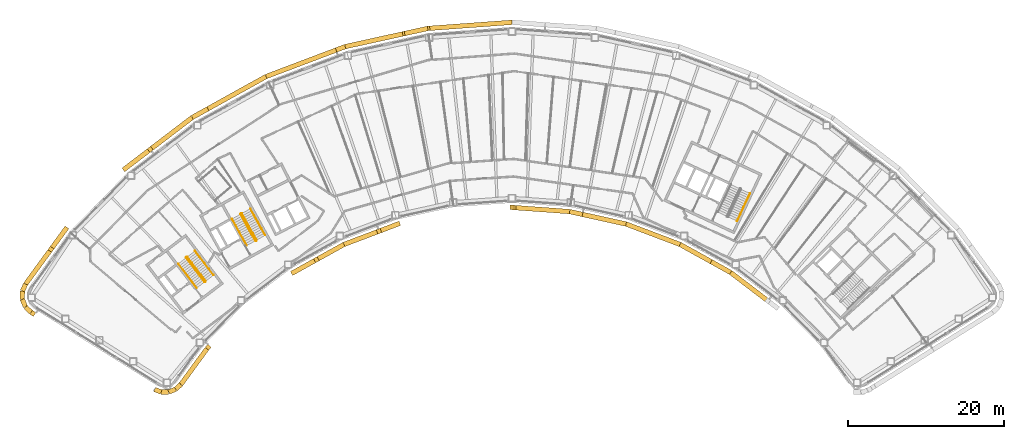
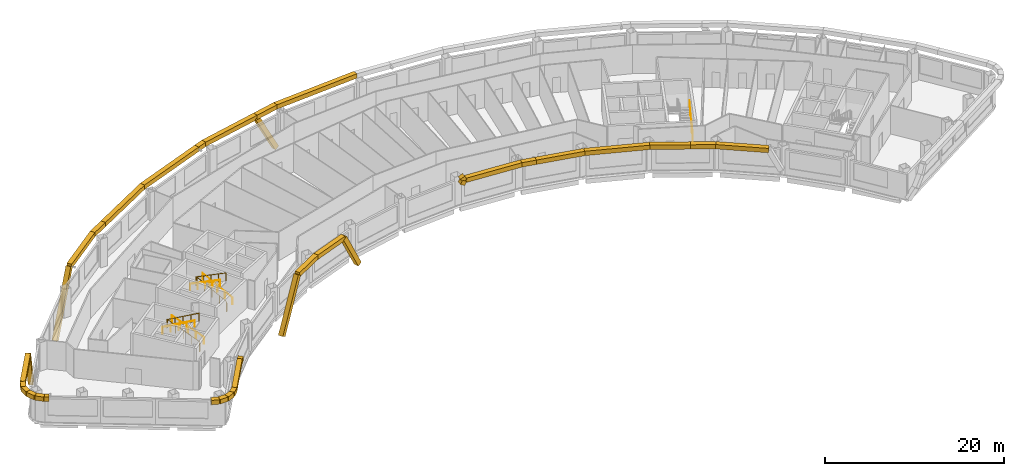
# One storey, part 15 of 17: 36 coverings, 7 railings.
"""IFC4 building model written with IfcOpenShell, lengths in metres."""

from ifc_helpers import new_model, si_unit, direction, frame, origin, origin_2d, place, context, subcontext, project, spatial, rectangle, circle, extrude, material, material_profile, profile_set, type_object, element, save


model = new_model("IFC4")

# Units and contexts
model_context = context("Model", 3, precision=1e-05, world=origin(), true_north=direction((0.0, 1.0)))
body_context = subcontext(model_context, "Body", "Model", "MODEL_VIEW")
ifc_project = project(units=[si_unit("LENGTHUNIT", "METRE"), si_unit("AREAUNIT", "SQUARE_METRE"), si_unit("VOLUMEUNIT", "CUBIC_METRE"), si_unit("PLANEANGLEUNIT", "RADIAN"), si_unit("MASSUNIT", "GRAM", prefix="KILO")], contexts=[model_context])

# Site, building, storey
site_placement = place(None, origin())
site = spatial("IfcSite", under=ifc_project, at=site_placement, CompositionType="ELEMENT")
building_placement = place(site_placement, origin())
building = spatial("IfcBuilding", under=site, at=building_placement, Name="Tuul Gate Civic Tower", CompositionType="ELEMENT")
storey_placement = place(building_placement, frame((0.0, 0.0, 222.10009765625)))
storey = spatial("IfcBuildingStorey", under=building, at=storey_placement, Name="Level 50", CompositionType="ELEMENT", Elevation=222.10009765625)

# Railings
ifc_material_1 = material(Name="Painted steel", Category="steel")
railing_type_1 = type_object("IfcRailingType", Name="Stair guard", PredefinedType="GUARDRAIL", material=ifc_material_1)
railing_1_placement = place(storey_placement, frame((-33.382080078125, -13.515380859375, 0.0)))
element("IfcRailing", 1, at=railing_1_placement, inside=storey, type_object=railing_type_1, Name="Level 50 ST-1 stair guard 1", PredefinedType="GUARDRAIL", context=body_context, shape_type="SweptSolid", body=[
    extrude(circle(Radius=0.02392578125, at=origin_2d()), frame((0.0, 0.0, 1.076171875), z_axis=(-0.795879841968, -0.605454603706, 0.0), x_axis=(0.605454603706, -0.795879841968, 0.0)), (0.0, 0.0, 1.0), 0.10009765625),
    extrude(circle(Radius=0.02392578125, at=origin_2d()), frame((-0.07958984375, -0.060546875, 1.076171875), z_axis=(0.408991890351, 0.599481263939, 0.688002796371), x_axis=(-0.826063974707, 0.563576356576, 0.0)), (0.0, 0.0, 1.0), 0.2177734375),
    extrude(circle(Radius=0.02392578125, at=origin_2d()), frame((0.009521484375, 0.070068359375, 1.22607421875), z_axis=(-0.541824460341, 0.711645023348, 0.447199748346), x_axis=(-0.795637165283, -0.60577347352, 0.0)), (0.0, 0.0, 1.0), 4.3603515625),
    extrude(circle(Radius=0.02392578125, at=origin_2d()), frame((-2.35302734375, 3.173095703125, 3.17578125), z_axis=(-0.990893089246, 0.134650977284, 0.0), x_axis=(-0.134650977284, -0.990893089246, 0.0)), (0.0, 0.0, 1.0), 0.07080078125),
    extrude(circle(Radius=0.02392578125, at=origin_2d()), frame((-2.423095703125, 3.1826171875, 3.17578125), z_axis=(-0.793802879778, -0.60817512943, 0.0), x_axis=(0.60817512943, -0.793802879778, 0.0)), (0.0, 0.0, 1.0), 0.099853515625),
    extrude(circle(Radius=0.02392578125, at=origin_2d()), frame((-2.50244140625, 3.121826171875, 3.17578125), z_axis=(-0.057370624079, -0.422188951554, 0.904690610473), x_axis=(0.990893089246, -0.134650977284, 0.0)), (0.0, 0.0, 1.0), 0.166015625),
    extrude(circle(Radius=0.02392578125, at=origin_2d()), frame((-2.511962890625, 3.0517578125, 3.326171875), z_axis=(0.541806494602, -0.71163897684, 0.447231136047), x_axis=(0.795644365679, 0.605764016233, 0.0)), (0.0, 0.0, 1.0), 4.360107421875),
    extrude(circle(Radius=0.02099609375, at=origin_2d()), origin(), (0.0, 0.0, 1.0), 1.052001953125),
    extrude(circle(Radius=0.02099609375, at=origin_2d()), frame((-0.07958984375, -0.060546875, 0.0)), (0.0, 0.0, 1.0), 1.052001953125),
    extrude(circle(Radius=0.02099609375, at=origin_2d()), frame((0.009521484375, 0.070068359375, 0.14990234375)), (0.0, 0.0, 1.0), 1.052001953125),
    extrude(circle(Radius=0.02099609375, at=origin_2d()), frame((-0.5810546875, 0.845703125, 0.637451171875)), (0.0, 0.0, 1.0), 1.052001953125),
    extrude(circle(Radius=0.02099609375, at=origin_2d()), frame((-1.171875, 1.62158203125, 1.125)), (0.0, 0.0, 1.0), 1.052001953125),
    extrude(circle(Radius=0.02099609375, at=origin_2d()), frame((-1.762451171875, 2.3974609375, 1.6123046875)), (0.0, 0.0, 1.0), 1.052001953125),
    extrude(circle(Radius=0.02099609375, at=origin_2d()), frame((-2.35302734375, 3.173095703125, 2.099853515625)), (0.0, 0.0, 1.0), 1.052001953125),
    extrude(circle(Radius=0.02099609375, at=origin_2d()), frame((-2.423095703125, 3.1826171875, 2.099853515625)), (0.0, 0.0, 1.0), 1.052001953125),
    extrude(circle(Radius=0.02099609375, at=origin_2d()), frame((-2.50244140625, 3.121826171875, 2.099853515625)), (0.0, 0.0, 1.0), 1.052001953125),
    extrude(circle(Radius=0.02099609375, at=origin_2d()), frame((-2.511962890625, 3.0517578125, 2.25)), (0.0, 0.0, 1.0), 1.052001953125),
    extrude(circle(Radius=0.02099609375, at=origin_2d()), frame((-1.92138671875, 2.276123046875, 2.737548828125)), (0.0, 0.0, 1.0), 1.052001953125),
    extrude(circle(Radius=0.02099609375, at=origin_2d()), frame((-1.330810546875, 1.50048828125, 3.22509765625)), (0.0, 0.0, 1.0), 1.052001953125),
    extrude(circle(Radius=0.02099609375, at=origin_2d()), frame((-0.740234375, 0.724609375, 3.71240234375)), (0.0, 0.0, 1.0), 1.052001953125),
    extrude(circle(Radius=0.02099609375, at=origin_2d()), frame((-0.149658203125, -0.051025390625, 4.199951171875)), (0.0, 0.0, 1.0), 1.052001953125),
])
railing_2_placement = place(storey_placement, frame((-26.857666015625, -8.247314453125, 0.0)))
element("IfcRailing", 2, at=railing_2_placement, inside=storey, type_object=railing_type_1, Name="Level 50 ST-2 stair guard 1", PredefinedType="GUARDRAIL", context=body_context, shape_type="SweptSolid", body=[
    extrude(circle(Radius=0.02392578125, at=origin_2d()), frame((0.0, 0.0, 1.076171875), z_axis=(-0.874616555828, -0.48481530532, 0.0), x_axis=(0.48481530532, -0.874616555828, 0.0)), (0.0, 0.0, 1.0), 0.10009765625),
    extrude(circle(Radius=0.02392578125, at=origin_2d()), frame((-0.087646484375, -0.048583984375, 1.076171875), z_axis=(0.49081399482, 0.534516610797, 0.688036056665), x_axis=(-0.736576986774, 0.676353711126, 0.0)), (0.0, 0.0, 1.0), 0.2177734375),
    extrude(circle(Radius=0.02392578125, at=origin_2d()), frame((0.019287109375, 0.06787109375, 1.22607421875), z_axis=(-0.43354991378, 0.782327185242, 0.447212083348), x_axis=(-0.874667644053, -0.484723129681, 0.0)), (0.0, 0.0, 1.0), 4.3603515625),
    extrude(circle(Radius=0.02392578125, at=origin_2d()), frame((-1.87109375, 3.47900390625, 3.17578125), z_axis=(-0.961263487578, 0.275631107549, 0.0), x_axis=(-0.275631107549, -0.961263487578, 0.0)), (0.0, 0.0, 1.0), 0.07080078125),
    extrude(circle(Radius=0.02392578125, at=origin_2d()), frame((-1.939208984375, 3.49853515625, 3.17578125), z_axis=(-0.874042088414, -0.485850211157, 0.0), x_axis=(0.485850211157, -0.874042088414, 0.0)), (0.0, 0.0, 1.0), 0.10009765625),
    extrude(circle(Radius=0.02392578125, at=origin_2d()), frame((-2.026611328125, 3.449951171875, 3.17578125), z_axis=(-0.117709570447, -0.409040757305, 0.904892322815), x_axis=(0.961000426733, -0.276546885391, 0.0)), (0.0, 0.0, 1.0), 0.166015625),
    extrude(circle(Radius=0.02392578125, at=origin_2d()), frame((-2.046142578125, 3.382080078125, 3.326171875), z_axis=(0.433595379963, -0.782308193291, 0.447201226726), x_axis=(0.874641102302, 0.484771020343, 0.0)), (0.0, 0.0, 1.0), 4.3603515625),
    extrude(circle(Radius=0.02099609375, at=origin_2d()), origin(), (0.0, 0.0, 1.0), 1.052001953125),
    extrude(circle(Radius=0.02099609375, at=origin_2d()), frame((-0.087646484375, -0.048583984375, 0.0)), (0.0, 0.0, 1.0), 1.052001953125),
    extrude(circle(Radius=0.02099609375, at=origin_2d()), frame((0.019287109375, 0.06787109375, 0.14990234375)), (0.0, 0.0, 1.0), 1.052001953125),
    extrude(circle(Radius=0.02099609375, at=origin_2d()), frame((-0.453369140625, 0.920654296875, 0.637451171875)), (0.0, 0.0, 1.0), 1.052001953125),
    extrude(circle(Radius=0.02099609375, at=origin_2d()), frame((-0.92578125, 1.7734375, 1.125)), (0.0, 0.0, 1.0), 1.052001953125),
    extrude(circle(Radius=0.02099609375, at=origin_2d()), frame((-1.3984375, 2.626220703125, 1.6123046875)), (0.0, 0.0, 1.0), 1.052001953125),
    extrude(circle(Radius=0.02099609375, at=origin_2d()), frame((-1.87109375, 3.47900390625, 2.099853515625)), (0.0, 0.0, 1.0), 1.052001953125),
    extrude(circle(Radius=0.02099609375, at=origin_2d()), frame((-1.939208984375, 3.49853515625, 2.099853515625)), (0.0, 0.0, 1.0), 1.052001953125),
    extrude(circle(Radius=0.02099609375, at=origin_2d()), frame((-2.026611328125, 3.449951171875, 2.099853515625)), (0.0, 0.0, 1.0), 1.052001953125),
    extrude(circle(Radius=0.02099609375, at=origin_2d()), frame((-2.046142578125, 3.382080078125, 2.25)), (0.0, 0.0, 1.0), 1.052001953125),
    extrude(circle(Radius=0.02099609375, at=origin_2d()), frame((-1.573486328125, 2.529296875, 2.737548828125)), (0.0, 0.0, 1.0), 1.052001953125),
    extrude(circle(Radius=0.02099609375, at=origin_2d()), frame((-1.100830078125, 1.676513671875, 3.22509765625)), (0.0, 0.0, 1.0), 1.052001953125),
    extrude(circle(Radius=0.02099609375, at=origin_2d()), frame((-0.628173828125, 0.82373046875, 3.71240234375)), (0.0, 0.0, 1.0), 1.052001953125),
    extrude(circle(Radius=0.02099609375, at=origin_2d()), frame((-0.155517578125, -0.029052734375, 4.199951171875)), (0.0, 0.0, 1.0), 1.052001953125),
])
ifc_material_2 = material(Name="Painted steel", Category="steel")
railing_type_2 = type_object("IfcRailingType", Name="Stair handrail", PredefinedType="HANDRAIL", material=ifc_material_2)
railing_3_placement = place(storey_placement, frame((-32.3779296875, -12.688232421875, 0.14990234375)))
element("IfcRailing", 3, at=railing_3_placement, inside=storey, type_object=railing_type_2, Name="Level 50 ST-1 stair handrail 1", PredefinedType="HANDRAIL", context=body_context, shape_type="SweptSolid", body=[
    extrude(circle(Radius=0.02392578125, at=origin_2d()), frame((0.0, 0.0, 0.8759765625), z_axis=(-0.541824460341, 0.711645023348, 0.447199748346), x_axis=(-0.795637165283, -0.60577347352, 0.0)), (0.0, 0.0, 1.0), 4.3603515625),
    extrude(circle(Radius=0.02099609375, at=origin_2d()), origin(), (0.0, 0.0, 1.0), 0.851806640625),
    extrude(circle(Radius=0.02099609375, at=origin_2d()), frame((-0.590576171875, 0.77587890625, 0.487548828125)), (0.0, 0.0, 1.0), 0.851806640625),
    extrude(circle(Radius=0.02099609375, at=origin_2d()), frame((-1.18115234375, 1.551513671875, 0.97509765625)), (0.0, 0.0, 1.0), 0.851806640625),
    extrude(circle(Radius=0.02099609375, at=origin_2d()), frame((-1.77197265625, 2.3271484375, 1.46240234375)), (0.0, 0.0, 1.0), 0.851806640625),
    extrude(circle(Radius=0.02099609375, at=origin_2d()), frame((-2.362548828125, 3.10302734375, 1.949951171875)), (0.0, 0.0, 1.0), 0.851806640625),
])
railing_4_placement = place(storey_placement, frame((-36.888671875, -11.220703125, 2.25)))
element("IfcRailing", 4, at=railing_4_placement, inside=storey, type_object=railing_type_2, Name="Level 50 ST-1 stair handrail 2", PredefinedType="HANDRAIL", context=body_context, shape_type="SweptSolid", body=[
    extrude(circle(Radius=0.02392578125, at=origin_2d()), frame((0.0, 0.0, 0.8759765625), z_axis=(0.541824460341, -0.711645023348, 0.447199748346), x_axis=(0.795637165283, 0.60577347352, 0.0)), (0.0, 0.0, 1.0), 4.3603515625),
    extrude(circle(Radius=0.02099609375, at=origin_2d()), origin(), (0.0, 0.0, 1.0), 0.851806640625),
    extrude(circle(Radius=0.02099609375, at=origin_2d()), frame((0.590576171875, -0.77587890625, 0.487548828125)), (0.0, 0.0, 1.0), 0.851806640625),
    extrude(circle(Radius=0.02099609375, at=origin_2d()), frame((1.18115234375, -1.551513671875, 0.97509765625)), (0.0, 0.0, 1.0), 0.851806640625),
    extrude(circle(Radius=0.02099609375, at=origin_2d()), frame((1.77197265625, -2.3271484375, 1.46240234375)), (0.0, 0.0, 1.0), 0.851806640625),
    extrude(circle(Radius=0.02099609375, at=origin_2d()), frame((2.362548828125, -3.10302734375, 1.949951171875)), (0.0, 0.0, 1.0), 0.851806640625),
])
railing_5_placement = place(storey_placement, frame((-25.744873046875, -7.573486328125, 0.14990234375)))
element("IfcRailing", 5, at=railing_5_placement, inside=storey, type_object=railing_type_2, Name="Level 50 ST-2 stair handrail 1", PredefinedType="HANDRAIL", context=body_context, shape_type="SweptSolid", body=[
    extrude(circle(Radius=0.02392578125, at=origin_2d()), frame((0.0, 0.0, 0.8759765625), z_axis=(-0.433595379963, 0.782308193291, 0.447201226726), x_axis=(-0.874641102302, -0.484771020343, 0.0)), (0.0, 0.0, 1.0), 4.3603515625),
    extrude(circle(Radius=0.02099609375, at=origin_2d()), origin(), (0.0, 0.0, 1.0), 0.851806640625),
    extrude(circle(Radius=0.02099609375, at=origin_2d()), frame((-0.47265625, 0.852783203125, 0.487548828125)), (0.0, 0.0, 1.0), 0.851806640625),
    extrude(circle(Radius=0.02099609375, at=origin_2d()), frame((-0.9453125, 1.70556640625, 0.97509765625)), (0.0, 0.0, 1.0), 0.851806640625),
    extrude(circle(Radius=0.02099609375, at=origin_2d()), frame((-1.41796875, 2.558349609375, 1.46240234375)), (0.0, 0.0, 1.0), 0.851806640625),
    extrude(circle(Radius=0.02099609375, at=origin_2d()), frame((-1.890625, 3.4111328125, 1.949951171875)), (0.0, 0.0, 1.0), 0.851806640625),
])
railing_6_placement = place(storey_placement, frame((-29.9970703125, -5.47119140625, 2.25)))
element("IfcRailing", 6, at=railing_6_placement, inside=storey, type_object=railing_type_2, Name="Level 50 ST-2 stair handrail 2", PredefinedType="HANDRAIL", context=body_context, shape_type="SweptSolid", body=[
    extrude(circle(Radius=0.02392578125, at=origin_2d()), frame((0.0, 0.0, 0.8759765625), z_axis=(0.433595379963, -0.782308193291, 0.447201226726), x_axis=(0.874641102302, 0.484771020343, 0.0)), (0.0, 0.0, 1.0), 4.3603515625),
    extrude(circle(Radius=0.02099609375, at=origin_2d()), origin(), (0.0, 0.0, 1.0), 0.851806640625),
    extrude(circle(Radius=0.02099609375, at=origin_2d()), frame((0.47265625, -0.852783203125, 0.487548828125)), (0.0, 0.0, 1.0), 0.851806640625),
    extrude(circle(Radius=0.02099609375, at=origin_2d()), frame((0.9453125, -1.70556640625, 0.97509765625)), (0.0, 0.0, 1.0), 0.851806640625),
    extrude(circle(Radius=0.02099609375, at=origin_2d()), frame((1.41796875, -2.558349609375, 1.46240234375)), (0.0, 0.0, 1.0), 0.851806640625),
    extrude(circle(Radius=0.02099609375, at=origin_2d()), frame((1.890625, -3.4111328125, 1.949951171875)), (0.0, 0.0, 1.0), 0.851806640625),
])
railing_7_placement = place(storey_placement, frame((34.844970703125, -5.74267578125, 0.14990234375)))
element("IfcRailing", 7, at=railing_7_placement, inside=storey, type_object=railing_type_2, Name="Level 50 ST-4 stair handrail 1", PredefinedType="HANDRAIL", context=body_context, shape_type="SweptSolid", body=[
    extrude(circle(Radius=0.02392578125, at=origin_2d()), frame((0.0, 0.0, 0.8759765625), z_axis=(0.377994896215, 0.810636958585, 0.447199709091), x_axis=(-0.906312636903, 0.422607861012, 0.0)), (0.0, 0.0, 1.0), 4.3603515625),
    extrude(circle(Radius=0.02099609375, at=origin_2d()), origin(), (0.0, 0.0, 1.0), 0.851806640625),
    extrude(circle(Radius=0.02099609375, at=origin_2d()), frame((0.412109375, 0.8837890625, 0.487548828125)), (0.0, 0.0, 1.0), 0.851806640625),
    extrude(circle(Radius=0.02099609375, at=origin_2d()), frame((0.82421875, 1.767333984375, 0.97509765625)), (0.0, 0.0, 1.0), 0.851806640625),
    extrude(circle(Radius=0.02099609375, at=origin_2d()), frame((1.236083984375, 2.65087890625, 1.46240234375)), (0.0, 0.0, 1.0), 0.851806640625),
    extrude(circle(Radius=0.02099609375, at=origin_2d()), frame((1.648193359375, 3.53466796875, 1.949951171875)), (0.0, 0.0, 1.0), 0.851806640625),
])

# Coverings
ifc_material_3 = material(Name="Terracotta baguette", Category="masonry")
ifc_material_profile = material_profile(ifc_material_3, rectangle(XDim=0.60009765625, YDim=0.60009765625, at=origin_2d()), Name="Terracotta baguette screen frame")
ifc_profile_set = profile_set([ifc_material_profile], Name="Terracotta baguette")
covering_type = type_object("IfcCoveringType", Name="Terracotta baguette screen frame", PredefinedType="CLADDING", material=ifc_profile_set)
covering_1_placement = place(storey_placement, frame((-4.88330078125, 18.984130859375, -1.753662109375), z_axis=(-0.464054236636, -0.102279777228, 0.879882101551), x_axis=(0.215238820918, -0.976561441984, 0.0)))
element("IfcCovering", 8, at=covering_1_placement, inside=storey, type_object=covering_type, Name="Baguette 82", PredefinedType="CLADDING", context=body_context, shape_type="SweptSolid", body=[
    extrude(rectangle(XDim=0.60009765625, YDim=0.60009765625, at=origin_2d()), origin(), (0.0, 0.0, 1.0), 6.368408203125),
])
covering_2_placement = place(storey_placement, frame((-7.838623046875, 18.332763671875, 3.849853515625), z_axis=(-0.976567280612, -0.215212328733, 0.0), x_axis=(0.215212328733, -0.976567280612, 0.0)))
element("IfcCovering", 9, at=covering_2_placement, inside=storey, type_object=covering_type, Name="Baguette 89", PredefinedType="CLADDING", context=body_context, shape_type="SweptSolid", body=[
    extrude(rectangle(XDim=0.60009765625, YDim=0.60009765625, at=origin_2d()), origin(), (0.0, 0.0, 1.0), 7.8251953125),
])
covering_3_placement = place(storey_placement, frame((-15.48046875, 16.648681640625, 3.849853515625), z_axis=(-0.935408794723, -0.353568079378, 0.0), x_axis=(0.353568079378, -0.935408794723, 0.0)))
element("IfcCovering", 10, at=covering_3_placement, inside=storey, type_object=covering_type, Name="Baguette 90", PredefinedType="CLADDING", context=body_context, shape_type="SweptSolid", body=[
    extrude(rectangle(XDim=0.60009765625, YDim=0.60009765625, at=origin_2d()), origin(), (0.0, 0.0, 1.0), 1.2470703125),
])
covering_4_placement = place(storey_placement, frame((-33.10009765625, 8.67041015625, 3.849853515625), z_axis=(-0.874590710613, -0.484861927675, 0.0), x_axis=(0.484861927675, -0.874590710613, 0.0)))
element("IfcCovering", 11, at=covering_4_placement, inside=storey, type_object=covering_type, Name="Baguette 107", PredefinedType="CLADDING", context=body_context, shape_type="SweptSolid", body=[
    extrude(rectangle(XDim=0.60009765625, YDim=0.60009765625, at=origin_2d()), origin(), (0.0, 0.0, 1.0), 2.3095703125),
])
covering_5_placement = place(storey_placement, frame((-35.1201171875, 7.550537109375, 3.849853515625), z_axis=(-0.795616483898, -0.605800635977, 0.0), x_axis=(0.605800635977, -0.795616483898, 0.0)))
element("IfcCovering", 12, at=covering_5_placement, inside=storey, type_object=covering_type, Name="Baguette 108", PredefinedType="CLADDING", context=body_context, shape_type="SweptSolid", body=[
    extrude(rectangle(XDim=0.60009765625, YDim=0.60009765625, at=origin_2d()), origin(), (0.0, 0.0, 1.0), 6.762939453125),
])
covering_6_placement = place(storey_placement, frame((-40.500732421875, 3.45361328125, 3.849853515625), z_axis=(-0.378060731421, -0.287858459942, -0.879890669571), x_axis=(0.605793108402, -0.79562221551, 0.0)))
element("IfcCovering", 13, at=covering_6_placement, inside=storey, type_object=covering_type, Name="Baguette 111", PredefinedType="CLADDING", context=body_context, shape_type="SweptSolid", body=[
    extrude(rectangle(XDim=0.60009765625, YDim=0.60009765625, at=origin_2d()), origin(), (0.0, 0.0, 1.0), 8.604248046875),
])
covering_7_placement = place(storey_placement, frame((-51.349609375, -6.772705078125, -2.084716796875), z_axis=(-0.281431381579, -0.385232704359, 0.878858430554), x_axis=(0.807475813419, -0.58990067871, 0.0)))
element("IfcCovering", 14, at=covering_7_placement, inside=storey, type_object=covering_type, Name="Baguette 124", PredefinedType="CLADDING", context=body_context, shape_type="SweptSolid", body=[
    extrude(rectangle(XDim=0.60009765625, YDim=0.60009765625, at=origin_2d()), origin(), (0.0, 0.0, 1.0), 6.752685546875),
])
covering_8_placement = place(storey_placement, frame((-53.25, -9.3740234375, 3.849853515625), z_axis=(-0.589871149902, -0.807497384834, 0.0), x_axis=(0.807497384834, -0.589871149902, 0.0)))
element("IfcCovering", 15, at=covering_8_placement, inside=storey, type_object=covering_type, Name="Baguette 135", PredefinedType="CLADDING", context=body_context, shape_type="SweptSolid", body=[
    extrude(rectangle(XDim=0.60009765625, YDim=0.60009765625, at=origin_2d()), origin(), (0.0, 0.0, 1.0), 5.513916015625),
])
covering_9_placement = place(storey_placement, frame((-56.50244140625, -13.826416015625, 3.849853515625), z_axis=(-0.411904289645, -0.911227115582, 0.0), x_axis=(0.911227115582, -0.411904289645, 0.0)))
element("IfcCovering", 16, at=covering_9_placement, inside=storey, type_object=covering_type, Name="Baguette 136", PredefinedType="CLADDING", context=body_context, shape_type="SweptSolid", body=[
    extrude(rectangle(XDim=0.60009765625, YDim=0.60009765625, at=origin_2d()), origin(), (0.0, 0.0, 1.0), 0.988525390625),
])
covering_10_placement = place(storey_placement, frame((-56.90966796875, -14.727294921875, 3.849853515625), z_axis=(-0.014657151856, -0.99989257818, 0.0), x_axis=(0.99989257818, -0.014657151856, 0.0)))
element("IfcCovering", 17, at=covering_10_placement, inside=storey, type_object=covering_type, Name="Baguette 137", PredefinedType="CLADDING", context=body_context, shape_type="SweptSolid", body=[
    extrude(rectangle(XDim=0.60009765625, YDim=0.60009765625, at=origin_2d()), origin(), (0.0, 0.0, 1.0), 1.06591796875),
])
covering_11_placement = place(storey_placement, frame((-56.92529296875, -15.793212890625, 3.849853515625), z_axis=(0.385784883999, -0.922588761734, 0.0), x_axis=(0.922588761734, 0.385784883999, 0.0)))
element("IfcCovering", 18, at=covering_11_placement, inside=storey, type_object=covering_type, Name="Baguette 138", PredefinedType="CLADDING", context=body_context, shape_type="SweptSolid", body=[
    extrude(rectangle(XDim=0.60009765625, YDim=0.60009765625, at=origin_2d()), origin(), (0.0, 0.0, 1.0), 1.06689453125),
])
covering_12_placement = place(storey_placement, frame((-56.513671875, -16.777587890625, 3.849853515625), z_axis=(0.722137314744, -0.691749737011, 0.0), x_axis=(0.691749737011, 0.722137314744, 0.0)))
element("IfcCovering", 19, at=covering_12_placement, inside=storey, type_object=covering_type, Name="Baguette 139", PredefinedType="CLADDING", context=body_context, shape_type="SweptSolid", body=[
    extrude(rectangle(XDim=0.60009765625, YDim=0.60009765625, at=origin_2d()), origin(), (0.0, 0.0, 1.0), 0.98828125),
])
covering_13_placement = place(storey_placement, frame((-55.800048828125, -17.461181640625, 3.849853515625), z_axis=(0.848253589781, -0.529590263717, 0.0), x_axis=(0.529590263717, 0.848253589781, 0.0)))
element("IfcCovering", 20, at=covering_13_placement, inside=storey, type_object=covering_type, Name="Baguette 140", PredefinedType="CLADDING", context=body_context, shape_type="SweptSolid", body=[
    extrude(rectangle(XDim=0.60009765625, YDim=0.60009765625, at=origin_2d()), origin(), (0.0, 0.0, 1.0), 0.537109375),
])
covering_14_placement = place(storey_placement, frame((-39.944580078125, -27.368408203125, 3.849853515625), z_axis=(0.93189278144, -0.362733847194, 0.0), x_axis=(0.362733847194, 0.93189278144, 0.0)))
element("IfcCovering", 21, at=covering_14_placement, inside=storey, type_object=covering_type, Name="Baguette 165", PredefinedType="CLADDING", context=body_context, shape_type="SweptSolid", body=[
    extrude(rectangle(XDim=0.60009765625, YDim=0.60009765625, at=origin_2d()), origin(), (0.0, 0.0, 1.0), 0.901123046875),
])
covering_15_placement = place(storey_placement, frame((-39.104736328125, -27.6953125, 3.849853515625), z_axis=(0.999996192163, 0.002759648297, 0.0), x_axis=(-0.002759648297, 0.999996192163, 0.0)))
element("IfcCovering", 22, at=covering_15_placement, inside=storey, type_object=covering_type, Name="Baguette 166", PredefinedType="CLADDING", context=body_context, shape_type="SweptSolid", body=[
    extrude(rectangle(XDim=0.60009765625, YDim=0.60009765625, at=origin_2d()), origin(), (0.0, 0.0, 1.0), 0.97314453125),
])
covering_16_placement = place(storey_placement, frame((-38.131591796875, -27.692626953125, 3.849853515625), z_axis=(0.929477054746, 0.368879932634, 0.0), x_axis=(-0.368879932634, 0.929477054746, 0.0)))
element("IfcCovering", 23, at=covering_16_placement, inside=storey, type_object=covering_type, Name="Baguette 167", PredefinedType="CLADDING", context=body_context, shape_type="SweptSolid", body=[
    extrude(rectangle(XDim=0.60009765625, YDim=0.60009765625, at=origin_2d()), origin(), (0.0, 0.0, 1.0), 0.972900390625),
])
covering_17_placement = place(storey_placement, frame((-37.227294921875, -27.333740234375, 3.849853515625), z_axis=(0.730001285686, 0.683445771731, 0.0), x_axis=(-0.683445771731, 0.730001285686, 0.0)))
element("IfcCovering", 24, at=covering_17_placement, inside=storey, type_object=covering_type, Name="Baguette 168", PredefinedType="CLADDING", context=body_context, shape_type="SweptSolid", body=[
    extrude(rectangle(XDim=0.60009765625, YDim=0.60009765625, at=origin_2d()), origin(), (0.0, 0.0, 1.0), 0.902099609375),
])
covering_18_placement = place(storey_placement, frame((-36.56884765625, -26.71728515625, 3.849853515625), z_axis=(0.589841740077, 0.807518867682, 0.0), x_axis=(-0.807518867682, 0.589841740077, 0.0)))
element("IfcCovering", 25, at=covering_18_placement, inside=storey, type_object=covering_type, Name="Baguette 169", PredefinedType="CLADDING", context=body_context, shape_type="SweptSolid", body=[
    extrude(rectangle(XDim=0.60009765625, YDim=0.60009765625, at=origin_2d()), origin(), (0.0, 0.0, 1.0), 5.671875),
])
covering_19_placement = place(storey_placement, frame((-33.223388671875, -22.13720703125, 3.849853515625), z_axis=(0.699894417336, 0.714246319264, 0.0), x_axis=(-0.714246319264, 0.699894417336, 0.0)))
element("IfcCovering", 26, at=covering_19_placement, inside=storey, type_object=covering_type, Name="Baguette 170", PredefinedType="CLADDING", context=body_context, shape_type="SweptSolid", body=[
    extrude(rectangle(XDim=0.60009765625, YDim=0.60009765625, at=origin_2d()), origin(), (0.0, 0.0, 1.0), 0.51025390625),
])
covering_20_placement = place(storey_placement, frame((-22.12890625, -12.345703125, -2.5615234375), z_axis=(0.407704575868, 0.225985977105, 0.884707475366), x_axis=(-0.484795901821, 0.874627311246, 0.0)))
element("IfcCovering", 27, at=covering_20_placement, inside=storey, type_object=covering_type, Name="Baguette 189", PredefinedType="CLADDING", context=body_context, shape_type="SweptSolid", body=[
    extrude(rectangle(XDim=0.60009765625, YDim=0.60009765625, at=origin_2d()), origin(), (0.0, 0.0, 1.0), 7.246826171875),
])
covering_21_placement = place(storey_placement, frame((-19.17431640625, -10.7080078125, 3.849853515625), z_axis=(0.874607276747, 0.484832044589, 0.0), x_axis=(-0.484832044589, 0.874607276747, 0.0)))
element("IfcCovering", 28, at=covering_21_placement, inside=storey, type_object=covering_type, Name="Baguette 196", PredefinedType="CLADDING", context=body_context, shape_type="SweptSolid", body=[
    extrude(rectangle(XDim=0.60009765625, YDim=0.60009765625, at=origin_2d()), origin(), (0.0, 0.0, 1.0), 4.0400390625),
])
covering_22_placement = place(storey_placement, frame((-15.640869140625, -8.749267578125, 3.849853515625), z_axis=(0.93536656786, 0.353679775686, 0.0), x_axis=(-0.353679775686, 0.93536656786, 0.0)))
element("IfcCovering", 29, at=covering_22_placement, inside=storey, type_object=covering_type, Name="Baguette 197", PredefinedType="CLADDING", context=body_context, shape_type="SweptSolid", body=[
    extrude(rectangle(XDim=0.60009765625, YDim=0.60009765625, at=origin_2d()), origin(), (0.0, 0.0, 1.0), 4.81201171875),
])
covering_23_placement = place(storey_placement, frame((-11.139892578125, -7.04736328125, 3.849853515625), z_axis=(0.436037858965, 0.164868080688, -0.884697406755), x_axis=(-0.353668375938, 0.935370878241, 0.0)))
element("IfcCovering", 30, at=covering_23_placement, inside=storey, type_object=covering_type, Name="Baguette 200", PredefinedType="CLADDING", context=body_context, shape_type="SweptSolid", body=[
    extrude(rectangle(XDim=0.60009765625, YDim=0.60009765625, at=origin_2d()), origin(), (0.0, 0.0, 1.0), 5.590087890625),
])
for number, where, z_axis, x_axis, name in (
    (31, (5.93994140625, -3.993896484375, 3.35205078125), (0.465086251389, -0.033840230978, 0.884618345693), (0.072569349598, 0.997363368837, 0.0), "Baguette 215"),
    (32, (5.93994140625, -3.993896484375, 4.34765625), (0.465086251389, -0.033840230978, -0.884618345693), (0.072569349598, 0.997363368837, 0.0), "Baguette 217"),
):
    element("IfcCovering", number, at=place(storey_placement, frame(where, z_axis=z_axis, x_axis=x_axis)), inside=storey, type_object=covering_type, Name=name, PredefinedType="CLADDING", context=body_context, shape_type="SweptSolid", body=[
        extrude(rectangle(XDim=0.60009765625, YDim=0.60009765625, at=origin_2d()), origin(), (0.0, 0.0, 1.0), 0.562744140625),
    ])
covering_24_placement = place(storey_placement, frame((6.20166015625, -4.012939453125, 3.849853515625), z_axis=(0.997395442814, -0.072127183871, 0.0), x_axis=(0.072127183871, 0.997395442814, 0.0)))
element("IfcCovering", 33, at=covering_24_placement, inside=storey, type_object=covering_type, Name="Baguette 222", PredefinedType="CLADDING", context=body_context, shape_type="SweptSolid", body=[
    extrude(rectangle(XDim=0.60009765625, YDim=0.60009765625, at=origin_2d()), origin(), (0.0, 0.0, 1.0), 7.155517578125),
])
covering_25_placement = place(storey_placement, frame((13.338623046875, -4.529052734375, 3.849853515625), z_axis=(0.976544694518, -0.215314791894, 0.0), x_axis=(0.215314791894, 0.976544694518, 0.0)))
element("IfcCovering", 34, at=covering_25_placement, inside=storey, type_object=covering_type, Name="Baguette 223", PredefinedType="CLADDING", context=body_context, shape_type="SweptSolid", body=[
    extrude(rectangle(XDim=0.60009765625, YDim=0.60009765625, at=origin_2d()), origin(), (0.0, 0.0, 1.0), 1.6962890625),
])
covering_26_placement = place(storey_placement, frame((31.51318359375, -10.962158203125, 3.849853515625), z_axis=(0.87458876364, -0.484865439596, 0.0), x_axis=(0.484865439596, 0.87458876364, 0.0)))
element("IfcCovering", 35, at=covering_26_placement, inside=storey, type_object=covering_type, Name="Baguette 242", PredefinedType="CLADDING", context=body_context, shape_type="SweptSolid", body=[
    extrude(rectangle(XDim=0.60009765625, YDim=0.60009765625, at=origin_2d()), origin(), (0.0, 0.0, 1.0), 2.853515625),
])
covering_27_placement = place(storey_placement, frame((34.0087890625, -12.345703125, 3.849853515625), z_axis=(0.795587724937, -0.605838404138, 0.0), x_axis=(0.605838404138, 0.795587724937, 0.0)))
element("IfcCovering", 36, at=covering_27_placement, inside=storey, type_object=covering_type, Name="Baguette 243", PredefinedType="CLADDING", context=body_context, shape_type="SweptSolid", body=[
    extrude(rectangle(XDim=0.60009765625, YDim=0.60009765625, at=origin_2d()), origin(), (0.0, 0.0, 1.0), 5.998291015625),
])
covering_28_placement = place(storey_placement, frame((5.93994140625, 19.76904296875, 3.849853515625), z_axis=(-0.997380681176, -0.072331022511, 0.0), x_axis=(0.072331022511, -0.997380681176, 0.0)))
element("IfcCovering", 37, at=covering_28_placement, inside=storey, type_object=covering_type, Name="Baguette 306", PredefinedType="CLADDING", context=body_context, shape_type="SweptSolid", body=[
    extrude(rectangle(XDim=0.60009765625, YDim=0.60009765625, at=origin_2d()), origin(), (0.0, 0.0, 1.0), 10.8515625),
])
covering_29_placement = place(storey_placement, frame((-4.88330078125, 18.984130859375, 3.849853515625), z_axis=(-0.976561441984, -0.215238820918, 0.0), x_axis=(0.215238820918, -0.976561441984, 0.0)))
element("IfcCovering", 38, at=covering_29_placement, inside=storey, type_object=covering_type, Name="Baguette 307", PredefinedType="CLADDING", context=body_context, shape_type="SweptSolid", body=[
    extrude(rectangle(XDim=0.60009765625, YDim=0.60009765625, at=origin_2d()), origin(), (0.0, 0.0, 1.0), 3.0263671875),
])
covering_30_placement = place(storey_placement, frame((-16.64697265625, 16.207763671875, 3.849853515625), z_axis=(-0.935374009071, -0.353660095507, 0.0), x_axis=(0.353660095507, -0.935374009071, 0.0)))
element("IfcCovering", 39, at=covering_30_placement, inside=storey, type_object=covering_type, Name="Baguette 314", PredefinedType="CLADDING", context=body_context, shape_type="SweptSolid", body=[
    extrude(rectangle(XDim=0.60009765625, YDim=0.60009765625, at=origin_2d()), origin(), (0.0, 0.0, 1.0), 9.603759765625),
])
covering_31_placement = place(storey_placement, frame((-25.630126953125, 12.811279296875, 3.849853515625), z_axis=(-0.874609938288, -0.484827243302, 0.0), x_axis=(0.484827243302, -0.874609938288, 0.0)))
element("IfcCovering", 40, at=covering_31_placement, inside=storey, type_object=covering_type, Name="Baguette 315", PredefinedType="CLADDING", context=body_context, shape_type="SweptSolid", body=[
    extrude(rectangle(XDim=0.60009765625, YDim=0.60009765625, at=origin_2d()), origin(), (0.0, 0.0, 1.0), 8.541015625),
])
covering_32_placement = place(storey_placement, frame((14.9951171875, -4.894287109375, 3.849853515625), z_axis=(0.97656309278, -0.215231330944, 0.0), x_axis=(0.215231330944, 0.97656309278, 0.0)))
element("IfcCovering", 41, at=covering_32_placement, inside=storey, type_object=covering_type, Name="Baguette 358", PredefinedType="CLADDING", context=body_context, shape_type="SweptSolid", body=[
    extrude(rectangle(XDim=0.60009765625, YDim=0.60009765625, at=origin_2d()), origin(), (0.0, 0.0, 1.0), 5.721435546875),
])
covering_33_placement = place(storey_placement, frame((20.58251953125, -6.125732421875, 3.849853515625), z_axis=(0.935368082117, -0.353675770951, 0.0), x_axis=(0.353675770951, 0.935368082117, 0.0)))
element("IfcCovering", 42, at=covering_33_placement, inside=storey, type_object=covering_type, Name="Baguette 359", PredefinedType="CLADDING", context=body_context, shape_type="SweptSolid", body=[
    extrude(rectangle(XDim=0.60009765625, YDim=0.60009765625, at=origin_2d()), origin(), (0.0, 0.0, 1.0), 7.41796875),
])
covering_34_placement = place(storey_placement, frame((27.52099609375, -8.749267578125, 3.849853515625), z_axis=(0.874621104425, -0.484807099468, 0.0), x_axis=(0.484807099468, 0.874621104425, 0.0)))
element("IfcCovering", 43, at=covering_34_placement, inside=storey, type_object=covering_type, Name="Baguette 360", PredefinedType="CLADDING", context=body_context, shape_type="SweptSolid", body=[
    extrude(rectangle(XDim=0.60009765625, YDim=0.60009765625, at=origin_2d()), origin(), (0.0, 0.0, 1.0), 4.564453125),
])

save(model, "model.ifc")
